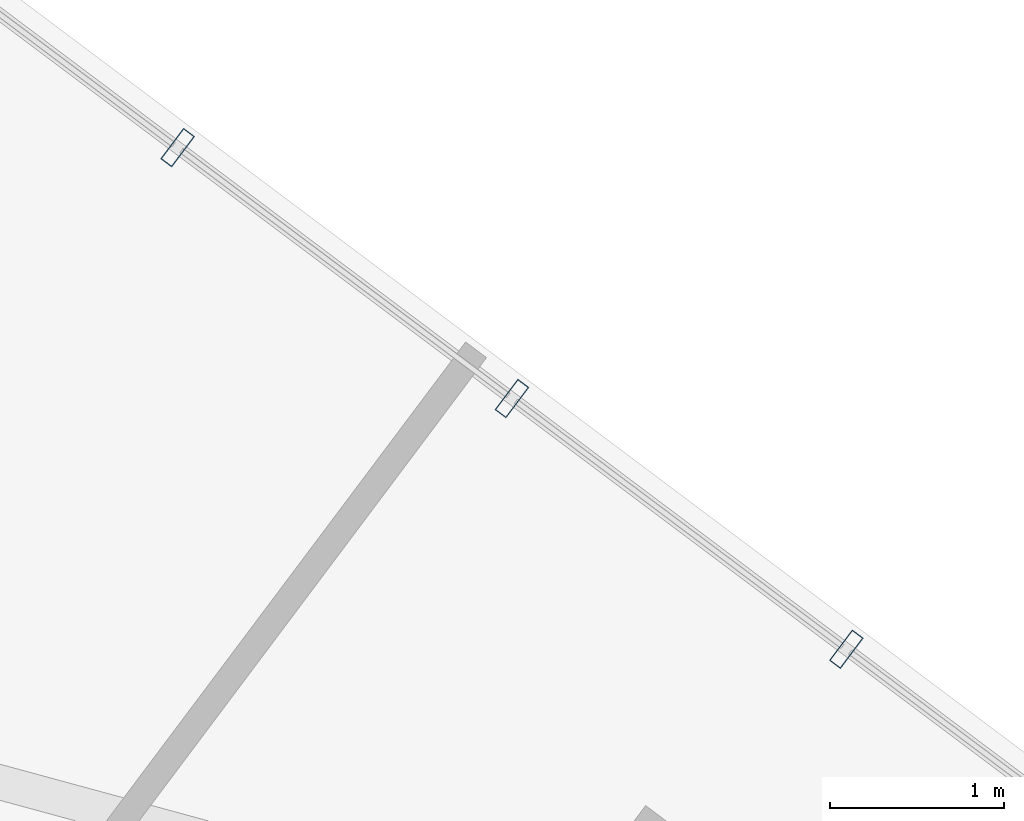
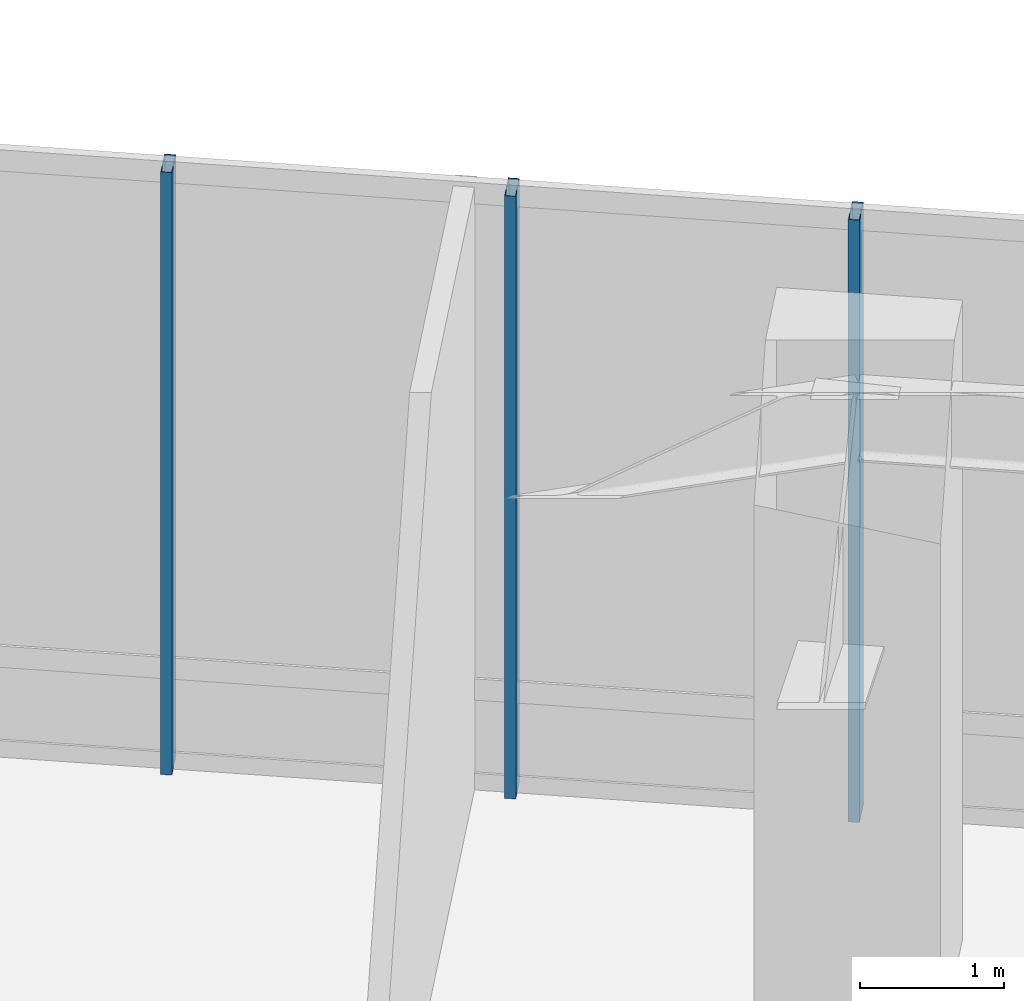
# One storey, part 27 of 38: 3 members, 1 element without a shape of its own.
"""IFC4 building model written with IfcOpenShell, lengths in metres."""

from ifc_helpers import new_model, si_unit, direction, frame, origin, origin_2d, place, context, subcontext, project, spatial, hollow_rectangle, extrude, material, layer, layer_set, material_profile, profile_set, type_object, element, aggregate, save


model = new_model("IFC4")

# Units and contexts
model_context = context("Model", 3, precision=1e-05, world=origin(), true_north=direction((0.0, 1.0)))
body_context = subcontext(model_context, "Body", "Model", "MODEL_VIEW")
ifc_project = project(units=[si_unit("LENGTHUNIT", "METRE"), si_unit("AREAUNIT", "SQUARE_METRE"), si_unit("VOLUMEUNIT", "CUBIC_METRE"), si_unit("PLANEANGLEUNIT", "RADIAN"), si_unit("MASSUNIT", "GRAM", prefix="KILO")], contexts=[model_context])

# Site, building, storey
site_placement = place(None, origin())
site = spatial("IfcSite", under=ifc_project, at=site_placement, CompositionType="ELEMENT")
building_placement = place(site_placement, origin())
building = spatial("IfcBuilding", under=site, at=building_placement, Name="Hatsunagi Terrace Concourse", CompositionType="ELEMENT")
storey_placement = place(building_placement, frame((0.0, 0.0, 21.60009765625)))
storey = spatial("IfcBuildingStorey", under=building, at=storey_placement, Name="L05", CompositionType="ELEMENT", Elevation=21.60009765625)

# Curtain wall, members
ifc_material_1 = material(Name="Anodised Aluminium Alloy 6063-T5", Category="aluminium")
ifc_layer = layer(ifc_material_1, 0.199951171875)
ifc_layer_set = layer_set([ifc_layer], Name="PodiumStorefront_CW01")
curtain_wall_type = type_object("IfcCurtainWallType", Name="PodiumStorefront_CW01", PredefinedType="NOTDEFINED", material=ifc_layer_set)
curtain_wall_placement = place(storey_placement, origin())
curtain_wall = element("IfcCurtainWall", 1, at=curtain_wall_placement, inside=storey, type_object=curtain_wall_type, Name="Unitised Curtain Wall CW-01 CW-L05-01", PredefinedType="NOTDEFINED")
ifc_material_2 = material(Name="Anodised Aluminium Alloy 6063-T5", Category="aluminium")
ifc_material_profile = material_profile(ifc_material_2, hollow_rectangle(XDim=0.080078125, YDim=0.219970703125, WallThickness=0.0048828125, at=origin_2d()), Name="ALU-MUL-220x80x5")
ifc_profile_set = profile_set([ifc_material_profile], Name="Anodised Aluminium Alloy 6063-T5")
member_type = type_object("IfcMemberType", Name="CurtainWallMullion_Heavy_220x80", PredefinedType="MULLION", material=ifc_profile_set)
member_1_placement = place(storey_placement, frame((48.701904296875, 37.84912109375, 0.0), z_axis=(0.0, 0.0, 1.0), x_axis=(0.800007305671, -0.599990258982, 0.0)))
member_1 = element("IfcMember", 2, at=member_1_placement, type_object=member_type, Name="Curtain Wall Mullion MUL-01", PredefinedType="MULLION", context=body_context, shape_type="SweptSolid", body=[
    extrude(hollow_rectangle(XDim=0.080078125, YDim=0.219970703125, WallThickness=0.0048828125, at=origin_2d()), origin(), (0.0, 0.0, 1.0), 5.099853515625),
])
member_2_placement = place(storey_placement, frame((50.6220703125, 36.407958984375, 0.0), z_axis=(0.0, 0.0, 1.0), x_axis=(0.800007305671, -0.599990258982, 0.0)))
member_2 = element("IfcMember", 3, at=member_2_placement, type_object=member_type, Name="Curtain Wall Mullion MUL-01", PredefinedType="MULLION", context=body_context, shape_type="SweptSolid", body=[
    extrude(hollow_rectangle(XDim=0.080078125, YDim=0.219970703125, WallThickness=0.0048828125, at=origin_2d()), origin(), (0.0, 0.0, 1.0), 5.099853515625),
])
member_3_placement = place(storey_placement, frame((52.54296875, 34.968017578125, 0.0), z_axis=(0.0, 0.0, 1.0), x_axis=(0.800007305671, -0.599990258982, 0.0)))
member_3 = element("IfcMember", 4, at=member_3_placement, type_object=member_type, Name="Curtain Wall Mullion MUL-01", PredefinedType="MULLION", context=body_context, shape_type="SweptSolid", body=[
    extrude(hollow_rectangle(XDim=0.080078125, YDim=0.219970703125, WallThickness=0.0048828125, at=origin_2d()), origin(), (0.0, 0.0, 1.0), 5.099853515625),
])
aggregate(curtain_wall, [member_1, member_2, member_3])

save(model, "model.ifc")
